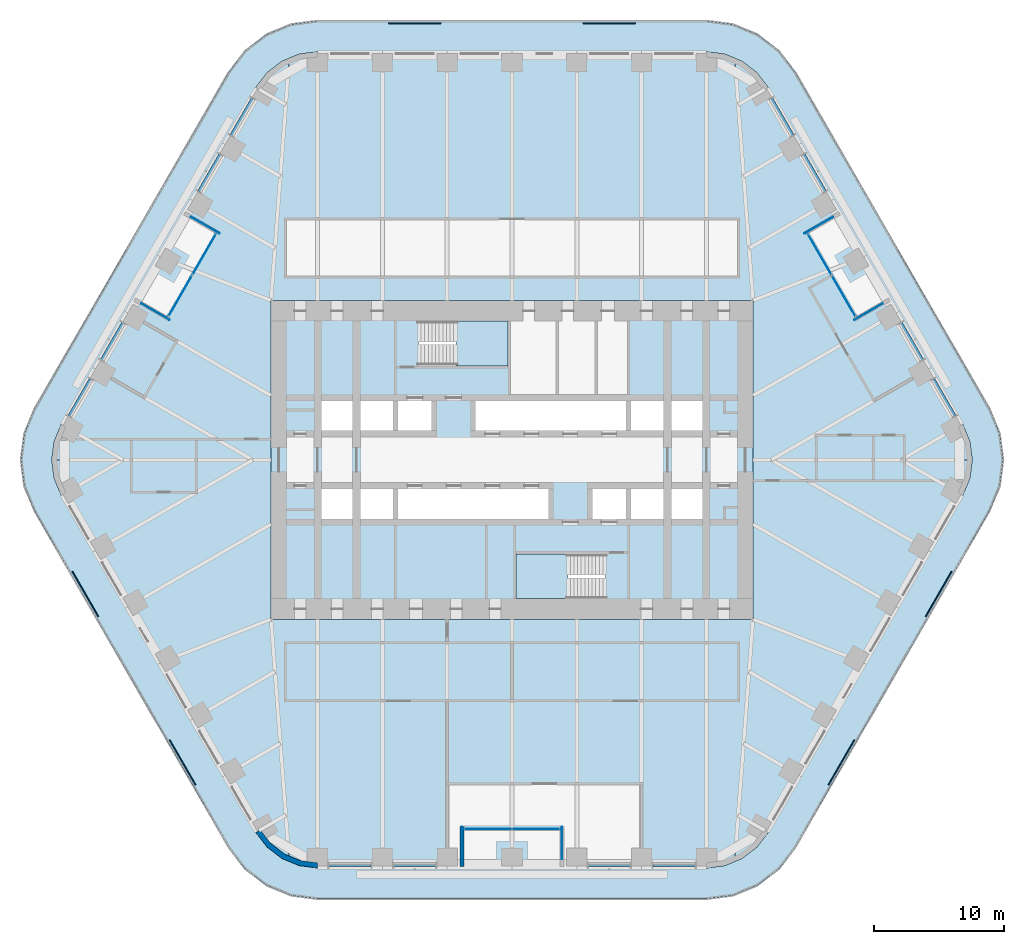
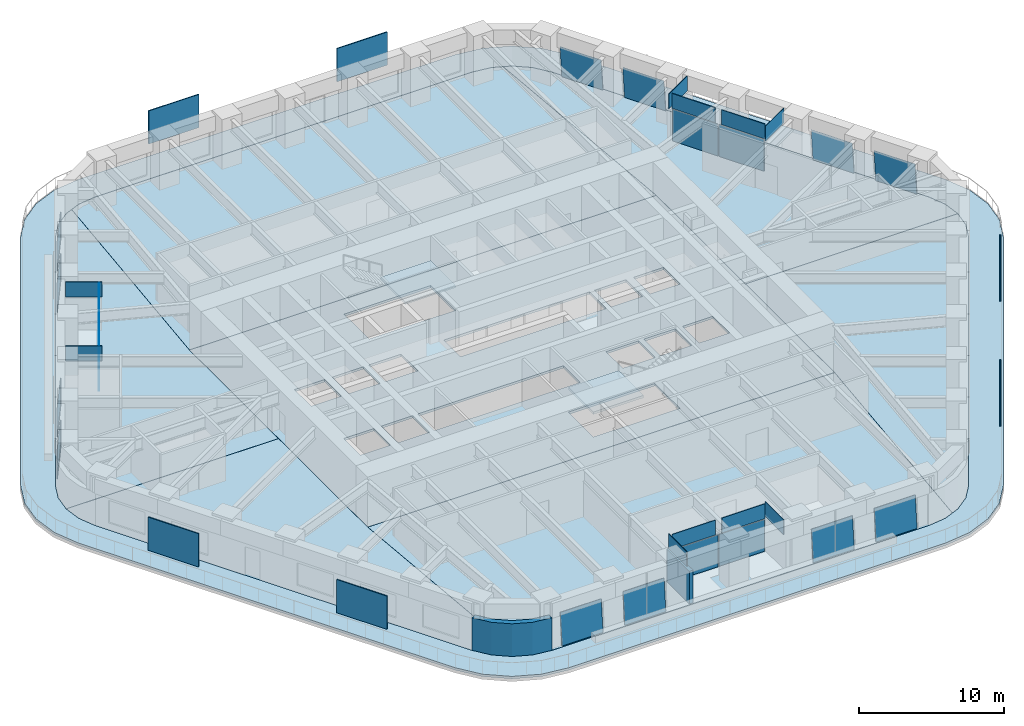
# One storey, part 16 of 24: 36 plates, 10 slabs, 2 walls, 17 elements without a shape of their own.
"""IFC4 building model written with IfcOpenShell, lengths in metres."""

from ifc_helpers import new_model, si_unit, direction, frame, frame_2d, origin, origin_2d, place, context, subcontext, project, spatial, polyline, rectangle, outline, extrude, material, layer, layer_set, type_object, element, aggregate, save


model = new_model("IFC4")

# Units and contexts
model_context = context("Model", 3, precision=1e-05, world=origin(), true_north=direction((0.0, 1.0)))
body_context = subcontext(model_context, "Body", "Model", "MODEL_VIEW")
ifc_project = project(units=[si_unit("LENGTHUNIT", "METRE"), si_unit("AREAUNIT", "SQUARE_METRE"), si_unit("VOLUMEUNIT", "CUBIC_METRE"), si_unit("PLANEANGLEUNIT", "RADIAN"), si_unit("MASSUNIT", "GRAM", prefix="KILO")], contexts=[model_context])

# Site, building, storey
site_placement = place(None, origin())
site = spatial("IfcSite", under=ifc_project, at=site_placement, CompositionType="ELEMENT")
building_placement = place(site_placement, origin())
building = spatial("IfcBuilding", under=site, at=building_placement, Name="Tarfa Lantern Tower", CompositionType="ELEMENT")
storey_placement = place(building_placement, frame((0.0, 0.0, 174.10009765625)))
storey = spatial("IfcBuildingStorey", under=building, at=storey_placement, Name="L39", CompositionType="ELEMENT", Elevation=174.10009765625)

# Slab
ifc_material_1 = material(Name="Concrete C40/50", Category="concrete")
ifc_layer_1 = layer(ifc_material_1, 0.199951171875)
ifc_layer_set_1 = layer_set([ifc_layer_1], Name="BS2 BALCONY SLAB 200")
slab_type_1 = type_object("IfcSlabType", Name="BS2 BALCONY SLAB 200", PredefinedType="FLOOR", material=ifc_layer_set_1)
slab_1_placement = place(storey_placement, frame((0.0, 0.0, -0.2001953125)))
element("IfcSlab", 1, at=slab_1_placement, inside=storey, type_object=slab_type_1, Name="Balcony L39", PredefinedType="FLOOR", context=body_context, shape_type="SweptSolid", body=[
    extrude(outline(polyline([(36.86376953125, 3.949951171875), (21.852783203125, 29.949951171875), (20.59716796875, 31.586181640625), (18.961181640625, 32.841552734375), (17.0556640625, 33.630859375), (15.010986328125, 33.89990234375), (-15.010986328125, 33.89990234375), (-17.0556640625, 33.630859375), (-18.961181640625, 32.841552734375), (-20.59716796875, 31.586181640625), (-21.852783203125, 29.949951171875), (-36.86376953125, 3.949951171875), (-37.653076171875, 2.044677734375), (-37.922119140625, 0.0), (-37.653076171875, -2.044677734375), (-36.86376953125, -3.949951171875), (-21.852783203125, -29.949951171875), (-20.59716796875, -31.586181640625), (-18.961181640625, -32.841552734375), (-17.0556640625, -33.630859375), (-15.010986328125, -33.89990234375), (15.010986328125, -33.89990234375), (17.0556640625, -33.630859375), (18.961181640625, -32.841552734375), (20.59716796875, -31.586181640625), (21.852783203125, -29.949951171875), (36.86376953125, -3.949951171875), (37.653076171875, -2.044677734375), (37.922119140625, 0.0), (37.653076171875, 2.044677734375), (36.86376953125, 3.949951171875)]), holes=[polyline([(34.785400390625, 2.75), (19.774169921875, 28.75), (18.900146484375, 29.88916015625), (17.760986328125, 30.76318359375), (16.4345703125, 31.3125), (15.010986328125, 31.5), (-15.010986328125, 31.5), (-16.4345703125, 31.3125), (-17.760986328125, 30.76318359375), (-18.900146484375, 29.88916015625), (-19.774169921875, 28.75), (-34.785400390625, 2.75), (-35.334716796875, 1.423583984375), (-35.522216796875, 0.0), (-35.334716796875, -1.423583984375), (-34.785400390625, -2.75), (-19.774169921875, -28.75), (-18.900146484375, -29.88916015625), (-17.760986328125, -30.76318359375), (-16.4345703125, -31.3125), (-15.010986328125, -31.5), (15.010986328125, -31.5), (16.4345703125, -31.3125), (17.760986328125, -30.76318359375), (18.900146484375, -29.88916015625), (19.774169921875, -28.75), (34.785400390625, -2.75), (35.334716796875, -1.423583984375), (35.522216796875, 0.0), (35.334716796875, 1.423583984375), (34.785400390625, 2.75)])]), origin(), (0.0, 0.0, 1.0), 0.2001953125),
])

# Curtain wall, plate
ifc_material_2 = material(Name="Aluminium framed curtain wall", Category="aluminium")
curtain_wall_type_1 = type_object("IfcCurtainWallType", Name="CW2 CANTED GLAZING MID ZONE 2750", PredefinedType="USERDEFINED", material=ifc_material_2)
curtain_wall_1_placement = place(storey_placement, origin())
curtain_wall_1 = element("IfcCurtainWall", 2, at=curtain_wall_1_placement, inside=storey, type_object=curtain_wall_type_1, Name="CW2 NE L39", ObjectType="CURTAIN WALL", PredefinedType="USERDEFINED")
ifc_material_3 = material(Name="Laminated double glazing", Category="glass")
ifc_layer_2 = layer(ifc_material_3, 0.028076171875)
ifc_layer_set_2 = layer_set([ifc_layer_2], Name="CWP1 DOUBLE GLAZED PANEL")
plate_type_1 = type_object("IfcPlateType", Name="CWP1 DOUBLE GLAZED PANEL", PredefinedType="CURTAIN_PANEL", material=ifc_layer_set_2)
plate_1_placement = place(storey_placement, frame((34.266357421875, 3.44921875, 0.0), z_axis=(0.862441034513, 0.497990624906, 0.09055826574), x_axis=(-0.500045231271, 0.865999287923, 0.0)))
plate_1 = element("IfcPlate", 3, at=plate_1_placement, type_object=plate_type_1, Name="CW2 panel 1.1", PredefinedType="CURTAIN_PANEL", context=body_context, shape_type="SweptSolid", body=[
    extrude(outline(polyline([(0.0, 0.0), (3.2736296403891254, -2.7755575615628914e-17), (3.273639290369484, 2.6958914425078007), (9.649980358572563e-06, 2.6958914425078007), (0.0, 0.0)])), origin(), (0.0, 0.0, -1.0), 0.028076171875),
])
aggregate(curtain_wall_1, [plate_1])

curtain_wall_2_placement = place(storey_placement, origin())
curtain_wall_2 = element("IfcCurtainWall", 4, at=curtain_wall_2_placement, inside=storey, type_object=curtain_wall_type_1, Name="CW2 NE L39", ObjectType="CURTAIN WALL", PredefinedType="USERDEFINED")
plate_2_placement = place(storey_placement, frame((31.764404296875, 7.782470703125, 0.0), z_axis=(0.862478745448, 0.497932381715, 0.090519373015), x_axis=(-0.499985201769, 0.866033947374, 2.911001e-06)))
plate_2 = element("IfcPlate", 5, at=plate_2_placement, type_object=plate_type_1, Name="CW2 panel 1.1", PredefinedType="CURTAIN_PANEL", context=body_context, shape_type="SweptSolid", body=[
    extrude(outline(polyline([(0.0, 0.0), (3.2738410665798394, 0.0), (3.2737195426844323, 2.695872301943701), (5.428042432404256e-07, 2.6958914404692003), (0.0, 0.0)])), origin(), (0.0, 0.0, -1.0), 0.028076171875),
])
aggregate(curtain_wall_2, [plate_2])

curtain_wall_3_placement = place(storey_placement, origin())
curtain_wall_3 = element("IfcCurtainWall", 6, at=curtain_wall_3_placement, inside=storey, type_object=curtain_wall_type_1, Name="CW2 NEB L39", ObjectType="CURTAIN WALL", PredefinedType="USERDEFINED")
plate_3_placement = place(storey_placement, frame((24.2587890625, 20.782470703125, 0.0), z_axis=(0.86249176236, 0.497902761979, 0.090558265635), x_axis=(-0.499957005835, 0.866050225054, 0.0)))
plate_3 = element("IfcPlate", 7, at=plate_3_placement, type_object=plate_type_1, Name="CW2 panel 1.1", PredefinedType="CURTAIN_PANEL", context=body_context, shape_type="SweptSolid", body=[
    extrude(outline(polyline([(0.0, 0.0), (3.273719001629088, 0.0), (3.2737037805661293, 2.6958914424821026), (-1.5221062958495346e-05, 2.6958914424821026), (0.0, 0.0)])), origin(), (0.0, 0.0, -1.0), 0.028076171875),
])
aggregate(curtain_wall_3, [plate_3])

curtain_wall_4_placement = place(storey_placement, origin())
curtain_wall_4 = element("IfcCurtainWall", 8, at=curtain_wall_4_placement, inside=storey, type_object=curtain_wall_type_1, Name="CW2 NEB L39", ObjectType="CURTAIN WALL", PredefinedType="USERDEFINED")
plate_4_placement = place(storey_placement, frame((21.757080078125, 25.11572265625, 0.0), z_axis=(0.862459603951, 0.497958464177, 0.09055826581), x_axis=(-0.500012937857, 0.86601793398, 0.0)))
plate_4 = element("IfcPlate", 9, at=plate_4_placement, type_object=plate_type_1, Name="CW2 panel 1.1", PredefinedType="CURTAIN_PANEL", context=body_context, shape_type="SweptSolid", body=[
    extrude(outline(polyline([(0.0, 0.0), (3.2738410682727324, 0.0), (3.27384161446276, 2.695891442525017), (5.461900275532949e-07, 2.695891442525017), (0.0, 0.0)])), origin(), (0.0, 0.0, -1.0), 0.028076171875),
])
aggregate(curtain_wall_4, [plate_4])

# Curtain wall, plates
curtain_wall_type_2 = type_object("IfcCurtainWallType", Name="CW10 LOGGIA GLAZING 2750", PredefinedType="USERDEFINED", material=ifc_material_2)
curtain_wall_5_placement = place(storey_placement, origin())
curtain_wall_5 = element("IfcCurtainWall", 10, at=curtain_wall_5_placement, inside=storey, type_object=curtain_wall_type_2, Name="CW10 NEL L39", ObjectType="CURTAIN WALL", PredefinedType="USERDEFINED")
plate_5_placement = place(storey_placement, frame((25.599609375, 12.660400390625, -0.000244140625), z_axis=(0.0, 0.0, 1.0), x_axis=(-0.5, 0.866025403784, 0.0)))
plate_5 = element("IfcPlate", 11, at=plate_5_placement, type_object=plate_type_1, Name="CW10 panel 1.1", PredefinedType="CURTAIN_PANEL", context=body_context, shape_type="SweptSolid", body=[
    extrude(rectangle(XDim=3.606201171875, YDim=0.028076171875, at=origin_2d()), origin(), (0.0, 0.0, 1.0), 2.68505859375),
])
plate_6_placement = place(storey_placement, frame((23.763916015625, 15.839599609375, -0.000244140625), z_axis=(0.0, 0.0, 1.0), x_axis=(-0.5, 0.866025403784, 0.0)))
plate_6 = element("IfcPlate", 12, at=plate_6_placement, type_object=plate_type_1, Name="CW10 panel 2.1", PredefinedType="CURTAIN_PANEL", context=body_context, shape_type="SweptSolid", body=[
    extrude(rectangle(XDim=3.606201171875, YDim=0.028076171875, at=origin_2d()), origin(), (0.0, 0.0, 1.0), 2.68505859375),
])
aggregate(curtain_wall_5, [plate_5, plate_6])

# Curtain wall, plate
curtain_wall_6_placement = place(storey_placement, origin())
curtain_wall_6 = element("IfcCurtainWall", 13, at=curtain_wall_6_placement, inside=storey, type_object=curtain_wall_type_1, Name="CW2 NW L39", ObjectType="CURTAIN WALL", PredefinedType="USERDEFINED")
plate_7_placement = place(storey_placement, frame((-20.1201171875, 27.950927734375, 0.0), z_axis=(-0.862459603951, 0.497958464177, 0.09055826581), x_axis=(-0.500012937857, -0.86601793398, 0.0)))
plate_7 = element("IfcPlate", 14, at=plate_7_placement, type_object=plate_type_1, Name="CW2 panel 1.1", PredefinedType="CURTAIN_PANEL", context=body_context, shape_type="SweptSolid", body=[
    extrude(outline(polyline([(0.0, 0.0), (3.2738410682727324, 0.0), (3.273840522082705, 2.695891442525017), (-5.461900275532949e-07, 2.695891442525017), (0.0, 0.0)])), origin(), (0.0, 0.0, -1.0), 0.028076171875),
])
aggregate(curtain_wall_6, [plate_7])

curtain_wall_7_placement = place(storey_placement, origin())
curtain_wall_7 = element("IfcCurtainWall", 15, at=curtain_wall_7_placement, inside=storey, type_object=curtain_wall_type_1, Name="CW2 NW L39", ObjectType="CURTAIN WALL", PredefinedType="USERDEFINED")
plate_8_placement = place(storey_placement, frame((-22.6220703125, 23.61767578125, 0.0), z_axis=(-0.86249176236, 0.497902761979, 0.090558265635), x_axis=(-0.499957005835, -0.866050225054, 0.0)))
plate_8 = element("IfcPlate", 16, at=plate_8_placement, type_object=plate_type_1, Name="CW2 panel 1.1", PredefinedType="CURTAIN_PANEL", context=body_context, shape_type="SweptSolid", body=[
    extrude(outline(polyline([(0.0, 0.0), (3.273719001629088, 0.0), (3.2737342226920463, 2.6958914424821026), (1.5221062958495346e-05, 2.6958914424821026), (0.0, 0.0)])), origin(), (0.0, 0.0, -1.0), 0.028076171875),
])
aggregate(curtain_wall_7, [plate_8])

curtain_wall_8_placement = place(storey_placement, origin())
curtain_wall_8 = element("IfcCurtainWall", 17, at=curtain_wall_8_placement, inside=storey, type_object=curtain_wall_type_1, Name="CW2 NWB L39", ObjectType="CURTAIN WALL", PredefinedType="USERDEFINED")
plate_9_placement = place(storey_placement, frame((-30.12744140625, 10.61767578125, 0.0), z_axis=(-0.862478745448, 0.497932381715, 0.090519373015), x_axis=(-0.499985201769, -0.866033947374, -2.911001e-06)))
plate_9 = element("IfcPlate", 18, at=plate_9_placement, type_object=plate_type_1, Name="CW2 panel 1.1", PredefinedType="CURTAIN_PANEL", context=body_context, shape_type="SweptSolid", body=[
    extrude(outline(polyline([(0.0, 0.0), (3.2738410665798394, 0.0), (3.273840523775597, 2.6958914404692003), (0.00012152389540728165, 2.695872301943701), (0.0, 0.0)])), origin(), (0.0, 0.0, -1.0), 0.028076171875),
])
aggregate(curtain_wall_8, [plate_9])

curtain_wall_9_placement = place(storey_placement, origin())
curtain_wall_9 = element("IfcCurtainWall", 19, at=curtain_wall_9_placement, inside=storey, type_object=curtain_wall_type_1, Name="CW2 NWB L39", ObjectType="CURTAIN WALL", PredefinedType="USERDEFINED")
plate_10_placement = place(storey_placement, frame((-32.62939453125, 6.2841796875, 0.0), z_axis=(-0.862441034513, 0.497990624906, 0.09055826574), x_axis=(-0.500045231271, -0.865999287923, 0.0)))
plate_10 = element("IfcPlate", 20, at=plate_10_placement, type_object=plate_type_1, Name="CW2 panel 1.1", PredefinedType="CURTAIN_PANEL", context=body_context, shape_type="SweptSolid", body=[
    extrude(outline(polyline([(0.0, 0.0), (3.2736296403891254, 2.7755575615628914e-17), (3.273619990408767, 2.6958914425078007), (-9.649980358572563e-06, 2.6958914425078007), (0.0, 0.0)])), origin(), (0.0, 0.0, -1.0), 0.028076171875),
])
aggregate(curtain_wall_9, [plate_10])

# Curtain wall, plates
curtain_wall_10_placement = place(storey_placement, origin())
curtain_wall_10 = element("IfcCurtainWall", 21, at=curtain_wall_10_placement, inside=storey, type_object=curtain_wall_type_2, Name="CW10 NWL L39", ObjectType="CURTAIN WALL", PredefinedType="USERDEFINED")
plate_11_placement = place(storey_placement, frame((-23.763916015625, 15.839599609375, -0.000244140625), z_axis=(0.0, 0.0, 1.0), x_axis=(-0.5, -0.866025403784, 0.0)))
plate_11 = element("IfcPlate", 22, at=plate_11_placement, type_object=plate_type_1, Name="CW10 panel 1.1", PredefinedType="CURTAIN_PANEL", context=body_context, shape_type="SweptSolid", body=[
    extrude(rectangle(XDim=3.606201171875, YDim=0.028076171875, at=origin_2d()), origin(), (0.0, 0.0, 1.0), 2.68505859375),
])
plate_12_placement = place(storey_placement, frame((-25.599609375, 12.660400390625, -0.000244140625), z_axis=(0.0, 0.0, 1.0), x_axis=(-0.5, -0.866025403784, 0.0)))
plate_12 = element("IfcPlate", 23, at=plate_12_placement, type_object=plate_type_1, Name="CW10 panel 2.1", PredefinedType="CURTAIN_PANEL", context=body_context, shape_type="SweptSolid", body=[
    extrude(rectangle(XDim=3.606201171875, YDim=0.028076171875, at=origin_2d()), origin(), (0.0, 0.0, 1.0), 2.68505859375),
])
aggregate(curtain_wall_10, [plate_11, plate_12])

# Curtain wall, plate
curtain_wall_11_placement = place(storey_placement, origin())
curtain_wall_11 = element("IfcCurtainWall", 24, at=curtain_wall_11_placement, inside=storey, type_object=curtain_wall_type_1, Name="CW2 S L39", ObjectType="CURTAIN WALL", PredefinedType="USERDEFINED")
plate_13_placement = place(storey_placement, frame((-14.14599609375, -31.39990234375, 0.0), z_axis=(0.0, -0.995899142751, 0.090470423171), x_axis=(1.0, 0.0, 0.0)))
plate_13 = element("IfcPlate", 25, at=plate_13_placement, type_object=plate_type_1, Name="CW2 panel 1.1", PredefinedType="CURTAIN_PANEL", context=body_context, shape_type="SweptSolid", body=[
    extrude(outline(polyline([(0.0, 0.0), (3.273681640625, 0.0), (3.273681640625, 2.695869830462773), (0.0, 2.695869830462773), (0.0, 0.0)])), origin(), (0.0, 0.0, -1.0), 0.028076171875),
])
aggregate(curtain_wall_11, [plate_13])

curtain_wall_12_placement = place(storey_placement, origin())
curtain_wall_12 = element("IfcCurtainWall", 26, at=curtain_wall_12_placement, inside=storey, type_object=curtain_wall_type_1, Name="CW2 S L39", ObjectType="CURTAIN WALL", PredefinedType="USERDEFINED")
plate_14_placement = place(storey_placement, frame((-9.142333984375, -31.39990234375, 0.0), z_axis=(0.0, -0.995899142751, 0.090470423171), x_axis=(1.0, 0.0, 0.0)))
plate_14 = element("IfcPlate", 27, at=plate_14_placement, type_object=plate_type_1, Name="CW2 panel 1.1", PredefinedType="CURTAIN_PANEL", context=body_context, shape_type="SweptSolid", body=[
    extrude(outline(polyline([(0.0, 0.0), (3.273681640625, 0.0), (3.273681640625, 2.695869830462773), (0.0, 2.695869830462773), (0.0, 0.0)])), origin(), (0.0, 0.0, -1.0), 0.028076171875),
])
aggregate(curtain_wall_12, [plate_14])

curtain_wall_13_placement = place(storey_placement, origin())
curtain_wall_13 = element("IfcCurtainWall", 28, at=curtain_wall_13_placement, inside=storey, type_object=curtain_wall_type_1, Name="CW2 SB L39", ObjectType="CURTAIN WALL", PredefinedType="USERDEFINED")
plate_15_placement = place(storey_placement, frame((5.86865234375, -31.39990234375, 0.0), z_axis=(0.0, -0.995899142751, 0.090470423171), x_axis=(1.0, 0.0, 0.0)))
plate_15 = element("IfcPlate", 29, at=plate_15_placement, type_object=plate_type_1, Name="CW2 panel 1.1", PredefinedType="CURTAIN_PANEL", context=body_context, shape_type="SweptSolid", body=[
    extrude(outline(polyline([(0.0, 0.0), (3.273681640625, 0.0), (3.273681640625, 2.695869830462773), (0.0, 2.695869830462773), (0.0, 0.0)])), origin(), (0.0, 0.0, -1.0), 0.028076171875),
])
aggregate(curtain_wall_13, [plate_15])

curtain_wall_14_placement = place(storey_placement, origin())
curtain_wall_14 = element("IfcCurtainWall", 30, at=curtain_wall_14_placement, inside=storey, type_object=curtain_wall_type_1, Name="CW2 SB L39", ObjectType="CURTAIN WALL", PredefinedType="USERDEFINED")
plate_16_placement = place(storey_placement, frame((10.872314453125, -31.39990234375, 0.0), z_axis=(0.0, -0.995899142751, 0.090470423171), x_axis=(1.0, 0.0, 0.0)))
plate_16 = element("IfcPlate", 31, at=plate_16_placement, type_object=plate_type_1, Name="CW2 panel 1.1", PredefinedType="CURTAIN_PANEL", context=body_context, shape_type="SweptSolid", body=[
    extrude(outline(polyline([(0.0, 0.0), (3.273681640625, 0.0), (3.273681640625, 2.695869830462773), (0.0, 2.695869830462773), (0.0, 0.0)])), origin(), (0.0, 0.0, -1.0), 0.028076171875),
])
aggregate(curtain_wall_14, [plate_16])

# Curtain wall, plates
curtain_wall_15_placement = place(storey_placement, origin())
curtain_wall_15 = element("IfcCurtainWall", 32, at=curtain_wall_15_placement, inside=storey, type_object=curtain_wall_type_2, Name="CW10 SL L39", ObjectType="CURTAIN WALL", PredefinedType="USERDEFINED")
plate_17_placement = place(storey_placement, frame((-1.835693359375, -28.5, -0.000244140625), z_axis=(0.0, 0.0, 1.0), x_axis=(1.0, 0.0, 0.0)))
plate_17 = element("IfcPlate", 33, at=plate_17_placement, type_object=plate_type_1, Name="CW10 panel 1.1", PredefinedType="CURTAIN_PANEL", context=body_context, shape_type="SweptSolid", body=[
    extrude(rectangle(XDim=3.606201171875, YDim=0.028076171875, at=origin_2d()), origin(), (0.0, 0.0, 1.0), 2.68505859375),
])
plate_18_placement = place(storey_placement, frame((1.835693359375, -28.5, -0.000244140625), z_axis=(0.0, 0.0, 1.0), x_axis=(1.0, 0.0, 0.0)))
plate_18 = element("IfcPlate", 34, at=plate_18_placement, type_object=plate_type_1, Name="CW10 panel 2.1", PredefinedType="CURTAIN_PANEL", context=body_context, shape_type="SweptSolid", body=[
    extrude(rectangle(XDim=3.606201171875, YDim=0.028076171875, at=origin_2d()), origin(), (0.0, 0.0, 1.0), 2.68505859375),
])
aggregate(curtain_wall_15, [plate_17, plate_18])

# Slabs
ifc_layer_3 = layer(ifc_material_1, 0.199951171875)
ifc_layer_set_3 = layer_set([ifc_layer_3], Name="FS1 FLOOR SLAB 200")
slab_type_2 = type_object("IfcSlabType", Name="FS1 FLOOR SLAB 200", PredefinedType="FLOOR", material=ifc_layer_set_3)
slab_2_placement = place(storey_placement, frame((0.0, 0.0, -0.2001953125)))
element("IfcSlab", 35, at=slab_2_placement, inside=storey, type_object=slab_type_2, Name="Floor slab L39", PredefinedType="FLOOR", context=body_context, shape_type="SweptSolid", body=[
    extrude(outline(polyline([(-18.60009765625, -12.300048828125), (18.60009765625, -12.300048828125), (18.60009765625, 12.300048828125), (-18.60009765625, 12.300048828125), (-18.60009765625, -12.300048828125)]), holes=[polyline([(-14.699951171875, 2.25), (-12.300048828125, 2.25), (-12.300048828125, 4.550048828125), (-14.699951171875, 4.550048828125), (-14.699951171875, 2.25)]), polyline([(-11.699951171875, 2.25), (-9.199951171875, 2.25), (-9.199951171875, 4.550048828125), (-11.699951171875, 4.550048828125), (-11.699951171875, 2.25)]), polyline([(-8.800048828125, 2.25), (-6.199951171875, 2.25), (-6.199951171875, 4.550048828125), (-8.800048828125, 4.550048828125), (-8.800048828125, 2.25)]), polyline([(-2.800048828125, 2.25), (8.800048828125, 2.25), (8.800048828125, 4.550048828125), (-2.800048828125, 4.550048828125), (-2.800048828125, 2.25)]), polyline([(9.199951171875, 2.25), (11.699951171875, 2.25), (11.699951171875, 4.550048828125), (9.199951171875, 4.550048828125), (9.199951171875, 2.25)]), polyline([(12.300048828125, 2.25), (14.699951171875, 2.25), (14.699951171875, 4.550048828125), (12.300048828125, 4.550048828125), (12.300048828125, 2.25)]), polyline([(14.699951171875, -2.25), (12.300048828125, -2.25), (12.300048828125, -4.550048828125), (14.699951171875, -4.550048828125), (14.699951171875, -2.25)]), polyline([(11.699951171875, -2.25), (9.199951171875, -2.25), (9.199951171875, -4.550048828125), (11.699951171875, -4.550048828125), (11.699951171875, -2.25)]), polyline([(8.800048828125, -2.25), (6.199951171875, -2.25), (6.199951171875, -4.550048828125), (8.800048828125, -4.550048828125), (8.800048828125, -2.25)]), polyline([(2.800048828125, -2.25), (-8.800048828125, -2.25), (-8.800048828125, -4.550048828125), (2.800048828125, -4.550048828125), (2.800048828125, -2.25)]), polyline([(-9.199951171875, -2.25), (-11.699951171875, -2.25), (-11.699951171875, -4.550048828125), (-9.199951171875, -4.550048828125), (-9.199951171875, -2.25)]), polyline([(-12.300048828125, -2.25), (-14.699951171875, -2.25), (-14.699951171875, -4.550048828125), (-12.300048828125, -4.550048828125), (-12.300048828125, -2.25)]), polyline([(-7.199951171875, 7.25), (-0.300048828125, 7.25), (-0.300048828125, 10.699951171875), (-7.199951171875, 10.699951171875), (-7.199951171875, 7.25)]), polyline([(7.199951171875, -7.25), (0.300048828125, -7.25), (0.300048828125, -10.699951171875), (7.199951171875, -10.699951171875), (7.199951171875, -7.25)])]), origin(), (0.0, 0.0, 1.0), 0.2001953125),
])
slab_3_placement = place(storey_placement, frame((0.0, 0.0, -0.2001953125)))
element("IfcSlab", 36, at=slab_3_placement, inside=storey, type_object=slab_type_2, Name="Floor slab L39 NE bay", PredefinedType="FLOOR", context=body_context, shape_type="SweptSolid", body=[
    extrude(outline(polyline([(34.783447265625, 2.7490234375), (19.7724609375, 28.748779296875), (18.898681640625, 29.8876953125), (17.760009765625, 30.761474609375), (17.19189453125, 30.996826171875), (18.60205078125, 12.300048828125), (18.60205078125, 0.001953125), (35.52001953125, 0.001953125), (35.332763671875, 1.423095703125), (34.783447265625, 2.7490234375)])), origin(), (0.0, 0.0, 1.0), 0.2001953125),
])
slab_4_placement = place(storey_placement, frame((0.0, 0.0, -0.2001953125)))
element("IfcSlab", 37, at=slab_4_placement, inside=storey, type_object=slab_type_2, Name="Floor slab L39 N bay", PredefinedType="FLOOR", context=body_context, shape_type="SweptSolid", body=[
    extrude(outline(polyline([(-18.597900390625, 12.302001953125), (18.597900390625, 12.302001953125), (17.187744140625, 30.99853515625), (16.43408203125, 31.310546875), (15.010986328125, 31.498046875), (-15.010986328125, 31.498046875), (-16.43408203125, 31.310546875), (-17.187744140625, 30.99853515625), (-18.597900390625, 12.302001953125)])), origin(), (0.0, 0.0, 1.0), 0.2001953125),
])
slab_5_placement = place(storey_placement, frame((0.0, 0.0, -0.2001953125)))
element("IfcSlab", 38, at=slab_5_placement, inside=storey, type_object=slab_type_2, Name="Floor slab L39 NW bay", PredefinedType="FLOOR", context=body_context, shape_type="SweptSolid", body=[
    extrude(outline(polyline([(-18.60205078125, 0.001953125), (-18.60205078125, 12.300048828125), (-17.19189453125, 30.996826171875), (-17.760009765625, 30.761474609375), (-18.898681640625, 29.8876953125), (-19.7724609375, 28.748779296875), (-34.783447265625, 2.7490234375), (-35.332763671875, 1.423095703125), (-35.52001953125, 0.001953125), (-18.60205078125, 0.001953125)])), origin(), (0.0, 0.0, 1.0), 0.2001953125),
])
slab_6_placement = place(storey_placement, frame((0.0, 0.0, -0.2001953125)))
element("IfcSlab", 39, at=slab_6_placement, inside=storey, type_object=slab_type_2, Name="Floor slab L39 SW bay", PredefinedType="FLOOR", context=body_context, shape_type="SweptSolid", body=[
    extrude(outline(polyline([(-18.60205078125, -12.300048828125), (-18.60205078125, -0.001953125), (-35.52001953125, -0.001953125), (-35.332763671875, -1.423095703125), (-34.783447265625, -2.7490234375), (-19.7724609375, -28.748779296875), (-18.898681640625, -29.8876953125), (-17.760009765625, -30.761474609375), (-17.19189453125, -30.996826171875), (-18.60205078125, -12.300048828125)])), origin(), (0.0, 0.0, 1.0), 0.2001953125),
])
slab_7_placement = place(storey_placement, frame((0.0, 0.0, -0.2001953125)))
element("IfcSlab", 40, at=slab_7_placement, inside=storey, type_object=slab_type_2, Name="Floor slab L39 S bay", PredefinedType="FLOOR", context=body_context, shape_type="SweptSolid", body=[
    extrude(outline(polyline([(18.597900390625, -12.302001953125), (-18.597900390625, -12.302001953125), (-17.187744140625, -30.99853515625), (-16.43408203125, -31.310546875), (-15.010986328125, -31.498046875), (15.010986328125, -31.498046875), (16.43408203125, -31.310546875), (17.187744140625, -30.99853515625), (18.597900390625, -12.302001953125)])), origin(), (0.0, 0.0, 1.0), 0.2001953125),
])
slab_8_placement = place(storey_placement, frame((0.0, 0.0, -0.2001953125)))
element("IfcSlab", 41, at=slab_8_placement, inside=storey, type_object=slab_type_2, Name="Floor slab L39 SE bay", PredefinedType="FLOOR", context=body_context, shape_type="SweptSolid", body=[
    extrude(outline(polyline([(18.60205078125, -0.001953125), (18.60205078125, -12.300048828125), (17.19189453125, -30.996826171875), (17.760009765625, -30.761474609375), (18.898681640625, -29.8876953125), (19.7724609375, -28.748779296875), (34.783447265625, -2.7490234375), (35.332763671875, -1.423095703125), (35.52001953125, -0.001953125), (18.60205078125, -0.001953125)])), origin(), (0.0, 0.0, 1.0), 0.2001953125),
])

# Plates
ifc_material_4 = material(Name="Aluminium fascia panel", Category="aluminium")
ifc_layer_4 = layer(ifc_material_4, 0.050048828125)
ifc_layer_set_4 = layer_set([ifc_layer_4], Name="LF1 LOGGIA HEAD FASCIA 50")
plate_type_2 = type_object("IfcPlateType", Name="LF1 LOGGIA HEAD FASCIA 50", PredefinedType="USERDEFINED", material=ifc_layer_set_4)
for number, where, z_axis, x_axis, name in (
    (42, (25.670166015625, 12.5380859375, 2.75), (0.0, 0.0, 1.0), (-0.5, 0.866025403784, 0.0), "Loggia head fascia NE"),
    (43, (23.693359375, 15.9619140625, 2.75), (0.0, 0.0, 1.0), (-0.5, 0.866025403784, 0.0), "Loggia head fascia NE"),
):
    element("IfcPlate", number, at=place(storey_placement, frame(where, z_axis=z_axis, x_axis=x_axis)), inside=storey, type_object=plate_type_2, Name=name, ObjectType="FASCIA", PredefinedType="USERDEFINED", context=body_context, shape_type="SweptSolid", body=[
        extrude(rectangle(XDim=3.45361328125, YDim=0.050048828125, at=origin_2d()), origin(), (0.0, 0.0, 1.0), 1.25),
    ])
for number, where, z_axis, x_axis, name in (
    (44, (27.526611328125, 11.442626953125, 2.75), (0.0, 0.0, 1.0), (-0.866025403784, -0.5, 0.0), "Loggia head fascia NE"),
    (45, (23.6728515625, 18.117431640625, 2.75), (0.0, 0.0, 1.0), (-0.866025403784, -0.5, 0.0), "Loggia head fascia NE"),
):
    element("IfcPlate", number, at=place(storey_placement, frame(where, z_axis=z_axis, x_axis=x_axis)), inside=storey, type_object=plate_type_2, Name=name, ObjectType="FASCIA", PredefinedType="USERDEFINED", context=body_context, shape_type="SweptSolid", body=[
        extrude(rectangle(XDim=2.52001953125, YDim=0.050048828125, at=origin_2d()), origin(), (0.0, 0.0, 1.0), 1.25),
    ])
for number, where, z_axis, x_axis, name in (
    (46, (-23.693359375, 15.9619140625, 2.75), (0.0, 0.0, 1.0), (-0.5, -0.866025403784, 0.0), "Loggia head fascia NW"),
    (47, (-25.670166015625, 12.5380859375, 2.75), (0.0, 0.0, 1.0), (-0.5, -0.866025403784, 0.0), "Loggia head fascia NW"),
):
    element("IfcPlate", number, at=place(storey_placement, frame(where, z_axis=z_axis, x_axis=x_axis)), inside=storey, type_object=plate_type_2, Name=name, ObjectType="FASCIA", PredefinedType="USERDEFINED", context=body_context, shape_type="SweptSolid", body=[
        extrude(rectangle(XDim=3.45361328125, YDim=0.050048828125, at=origin_2d()), origin(), (0.0, 0.0, 1.0), 1.25),
    ])
for number, where, z_axis, x_axis, name in (
    (48, (-23.6728515625, 18.117431640625, 2.75), (0.0, 0.0, 1.0), (0.866025403784, -0.5, 0.0), "Loggia head fascia NW"),
    (49, (-27.526611328125, 11.442626953125, 2.75), (0.0, 0.0, 1.0), (0.866025403784, -0.5, 0.0), "Loggia head fascia NW"),
):
    element("IfcPlate", number, at=place(storey_placement, frame(where, z_axis=z_axis, x_axis=x_axis)), inside=storey, type_object=plate_type_2, Name=name, ObjectType="FASCIA", PredefinedType="USERDEFINED", context=body_context, shape_type="SweptSolid", body=[
        extrude(rectangle(XDim=2.52001953125, YDim=0.050048828125, at=origin_2d()), origin(), (0.0, 0.0, 1.0), 1.25),
    ])
for number, where, z_axis, x_axis, name in (
    (50, (-1.976806640625, -28.5, 2.75), (0.0, 0.0, 1.0), (1.0, 0.0, 0.0), "Loggia head fascia S"),
    (51, (1.976806640625, -28.5, 2.75), (0.0, 0.0, 1.0), (1.0, 0.0, 0.0), "Loggia head fascia S"),
):
    element("IfcPlate", number, at=place(storey_placement, frame(where, z_axis=z_axis, x_axis=x_axis)), inside=storey, type_object=plate_type_2, Name=name, ObjectType="FASCIA", PredefinedType="USERDEFINED", context=body_context, shape_type="SweptSolid", body=[
        extrude(rectangle(XDim=3.45361328125, YDim=0.050048828125, at=origin_2d()), origin(), (0.0, 0.0, 1.0), 1.25),
    ])
for number, where, z_axis, x_axis, name in (
    (52, (-3.853759765625, -29.56005859375, 2.75), (0.0, 0.0, 1.0), (0.0, 1.0, 0.0), "Loggia head fascia S"),
    (53, (3.853759765625, -29.56005859375, 2.75), (0.0, 0.0, 1.0), (0.0, 1.0, 0.0), "Loggia head fascia S"),
):
    element("IfcPlate", number, at=place(storey_placement, frame(where, z_axis=z_axis, x_axis=x_axis)), inside=storey, type_object=plate_type_2, Name=name, ObjectType="FASCIA", PredefinedType="USERDEFINED", context=body_context, shape_type="SweptSolid", body=[
        extrude(rectangle(XDim=2.52001953125, YDim=0.050048828125, at=origin_2d()), origin(), (0.0, 0.0, 1.0), 1.25),
    ])
ifc_material_5 = material(Name="Perforated limestone screen", Category="masonry")
ifc_layer_5 = layer(ifc_material_5, 0.080078125)
ifc_layer_set_5 = layer_set([ifc_layer_5], Name="SC1 STONE SCREEN 80")
plate_type_3 = type_object("IfcPlateType", Name="SC1 STONE SCREEN 80", PredefinedType="USERDEFINED", material=ifc_layer_set_5)
for number, where, z_axis, x_axis, name in (
    (54, (7.505615234375, 33.699951171875, 1.19970703125), (0.0, 0.0, 1.0), (-1.0, 0.0, 0.0), "Stone screen N 1"),
    (55, (-7.505615234375, 33.699951171875, 1.19970703125), (0.0, 0.0, 1.0), (-1.0, 0.0, 0.0), "Stone screen N 2"),
    (56, (-32.937744140625, -10.35009765625, 1.19970703125), (0.0, 0.0, 1.0), (0.5, -0.866025403784, 0.0), "Stone screen SW 1"),
    (57, (-25.432373046875, -23.35009765625, 1.19970703125), (0.0, 0.0, 1.0), (0.5, -0.866025403784, 0.0), "Stone screen SW 2"),
    (58, (25.432373046875, -23.35009765625, 1.19970703125), (0.0, 0.0, 1.0), (0.5, 0.866025403784, 0.0), "Stone screen SE 1"),
    (59, (32.937744140625, -10.35009765625, 1.19970703125), (0.0, 0.0, 1.0), (0.5, 0.866025403784, 0.0), "Stone screen SE 2"),
):
    element("IfcPlate", number, at=place(storey_placement, frame(where, z_axis=z_axis, x_axis=x_axis)), inside=storey, type_object=plate_type_3, Name=name, ObjectType="SCREEN", PredefinedType="USERDEFINED", context=body_context, shape_type="SweptSolid", body=[
        extrude(rectangle(XDim=4.0, YDim=0.080078125, at=origin_2d()), origin(), (0.0, 0.0, 1.0), 2.800048828125),
    ])

# Stair, slab
stair_type = type_object("IfcStairType", Name="ST-T10 HALF-TURN STAIR 4200 RISE", PredefinedType="HALF_TURN_STAIR", material=ifc_material_1)
stair_1_placement = place(storey_placement, origin())
stair_1 = element("IfcStair", 60, at=stair_1_placement, inside=storey, type_object=stair_type, Name="Stair ST1", PredefinedType="HALF_TURN_STAIR")
ifc_layer_6 = layer(ifc_material_1, 0.199951171875)
ifc_layer_set_6 = layer_set([ifc_layer_6], Name="SL1 STAIR LANDING 200")
slab_type_3 = type_object("IfcSlabType", Name="SL1 STAIR LANDING 200", PredefinedType="LANDING", material=ifc_layer_set_6)
slab_9_placement = place(storey_placement, frame((0.0, 0.0, 1.89990234375)))
slab_9 = element("IfcSlab", 61, at=slab_9_placement, type_object=slab_type_3, Name="ST1 landing 1", PredefinedType="LANDING", context=body_context, shape_type="SweptSolid", body=[
    extrude(outline(polyline([(-4.320068359375, 7.25), (-0.300048828125, 7.25), (-0.300048828125, 10.699951171875), (-4.320068359375, 10.699951171875), (-4.320068359375, 7.25)])), origin(), (0.0, 0.0, 1.0), 0.199951171875),
])
aggregate(stair_1, [slab_9])

stair_2_placement = place(storey_placement, origin())
stair_2 = element("IfcStair", 62, at=stair_2_placement, inside=storey, type_object=stair_type, Name="Stair ST2", PredefinedType="HALF_TURN_STAIR")
slab_10_placement = place(storey_placement, frame((0.0, 0.0, 1.89990234375)))
slab_10 = element("IfcSlab", 63, at=slab_10_placement, type_object=slab_type_3, Name="ST2 landing 1", PredefinedType="LANDING", context=body_context, shape_type="SweptSolid", body=[
    extrude(outline(polyline([(4.320068359375, -7.25), (0.300048828125, -7.25), (0.300048828125, -10.699951171875), (4.320068359375, -10.699951171875), (4.320068359375, -7.25)])), origin(), (0.0, 0.0, 1.0), 0.199951171875),
])
aggregate(stair_2, [slab_10])

# Walls
ifc_material_6 = material(Name="Limestone cladding on blockwork", Category="masonry")
ifc_layer_7 = layer(ifc_material_6, 0.300048828125)
ifc_layer_set_7 = layer_set([ifc_layer_7], Name="EW1 STONE-CLAD WALL 300")
wall_type_1 = type_object("IfcWallType", Name="EW1 STONE-CLAD WALL 300", PredefinedType="SOLIDWALL", material=ifc_layer_set_7)
wall_1_placement = place(storey_placement, frame((-3.853759765625, -31.39990234375, 0.0), z_axis=(0.0, 0.0, 1.0), x_axis=(0.0, 1.0, 0.0)))
element("IfcWall", 64, at=wall_1_placement, inside=storey, type_object=wall_type_1, Name="Loggia return S 1", PredefinedType="SOLIDWALL", context=body_context, shape_type="SweptSolid", body=[
    extrude(rectangle(XDim=3.099853515625, YDim=0.300048828125, at=frame_2d((1.5498046875, 0.0))), origin(), (0.0, 0.0, 1.0), 2.75),
])
ifc_layer_8 = layer(ifc_material_6, 0.39990234375)
ifc_layer_set_8 = layer_set([ifc_layer_8], Name="EW2 CURVED STONE CORNER 400")
wall_type_2 = type_object("IfcWallType", Name="EW2 CURVED STONE CORNER 400", PredefinedType="SOLIDWALL", material=ifc_layer_set_8)
wall_2_placement = place(storey_placement, origin())
element("IfcWall", 65, at=wall_2_placement, inside=storey, type_object=wall_type_2, Name="Stone corner SW-S", PredefinedType="SOLIDWALL", context=body_context, shape_type="SweptSolid", body=[
    extrude(outline(polyline([(-19.774169921875, -28.75), (-18.900146484375, -29.88916015625), (-17.760986328125, -30.76318359375), (-16.4345703125, -31.3125), (-15.010986328125, -31.5), (-15.010986328125, -31.10009765625), (-16.3310546875, -30.92626953125), (-17.56103515625, -30.416748046875), (-18.617431640625, -29.606201171875), (-19.427734375, -28.550048828125), (-19.774169921875, -28.75)])), origin(), (0.0, 0.0, 1.0), 2.75),
])

save(model, "model.ifc")
